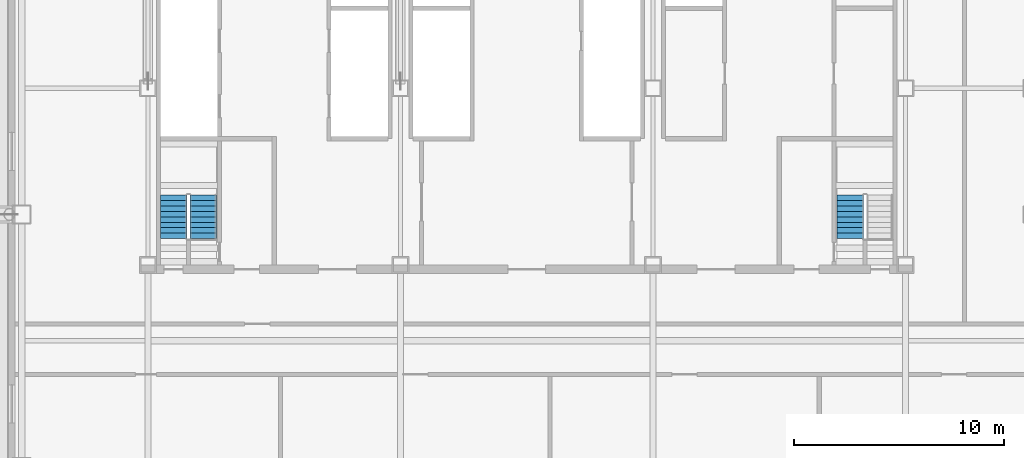
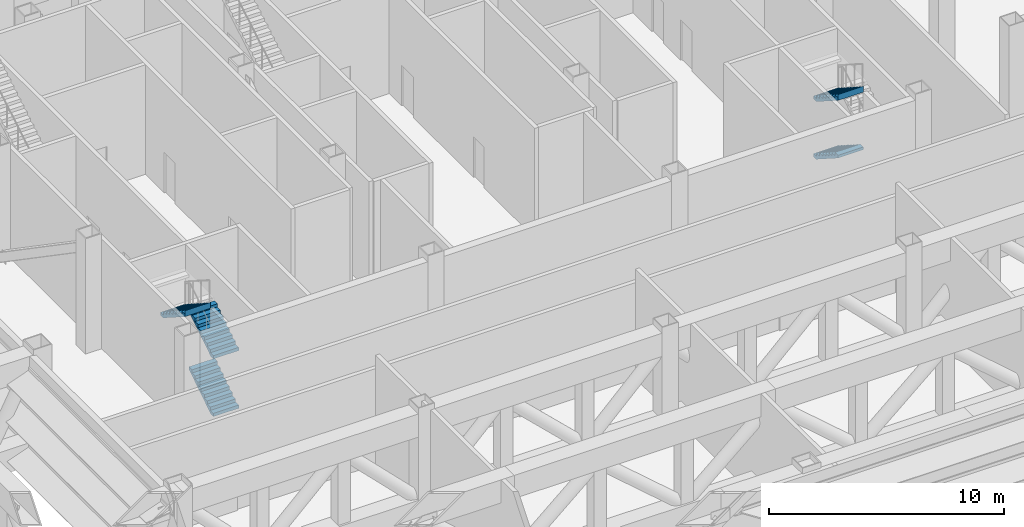
# One storey, part 9 of 17: 5 stair flights, 2 elements without a shape of their own.
"""IFC4 building model written with IfcOpenShell, lengths in metres."""

from ifc_helpers import new_model, si_unit, direction, frame, origin, place, context, subcontext, project, spatial, polyline, outline, extrude, material, type_object, element, aggregate, save


model = new_model("IFC4")

# Units and contexts
model_context = context("Model", 3, precision=1e-05, world=origin(), true_north=direction((0.0, 1.0)))
body_context = subcontext(model_context, "Body", "Model", "MODEL_VIEW")
ifc_project = project(units=[si_unit("LENGTHUNIT", "METRE"), si_unit("AREAUNIT", "SQUARE_METRE"), si_unit("VOLUMEUNIT", "CUBIC_METRE"), si_unit("PLANEANGLEUNIT", "RADIAN"), si_unit("MASSUNIT", "GRAM", prefix="KILO")], contexts=[model_context])

# Site, building, storey
site_placement = place(None, origin())
site = spatial("IfcSite", under=ifc_project, at=site_placement, CompositionType="ELEMENT")
building_placement = place(site_placement, origin())
building = spatial("IfcBuilding", under=site, at=building_placement, Name="Sorahane Residences", CompositionType="ELEMENT")
storey_placement = place(building_placement, frame((0.0, 0.0, 90.199951171875)))
storey = spatial("IfcBuildingStorey", under=building, at=storey_placement, Name="L19", CompositionType="ELEMENT", Elevation=90.199951171875)

# Stair, stair flights
ifc_material_1 = material(Name="Concrete C40", Category="concrete")
stair_type = type_object("IfcStairType", Name="Dog-leg stair 1250 Concrete C40", PredefinedType="HALF_TURN_STAIR", material=ifc_material_1)
stair_1_placement = place(storey_placement, origin())
stair_1 = element("IfcStair", 1, at=stair_1_placement, inside=storey, type_object=stair_type, Name="L19 Stair S4", PredefinedType="HALF_TURN_STAIR")
ifc_material_2 = material(Name="Concrete C40", Category="concrete")
stair_flight_type = type_object("IfcStairFlightType", Name="Stair flight 1250 Concrete C40", PredefinedType="STRAIGHT", material=ifc_material_2)
stair_flight_1_placement = place(storey_placement, frame((8.625, 22.85009765625, 0.0), z_axis=(0.0, 0.0, 1.0), x_axis=(0.0, 1.0, 0.0)))
stair_flight_1 = element("IfcStairFlight", 2, at=stair_flight_1_placement, type_object=stair_flight_type, Name="S4 flight 1", NumberOfRisers=9, NumberOfTreads=8, PredefinedType="STRAIGHT", RiserHeight=0.166666667, TreadLength=0.26, context=body_context, shape_type="SweptSolid", body=[
    extrude(outline(polyline([(-0.00146484375, 0.0), (-0.00146484375, 0.001953125), (-0.00146484375, 0.004150390625), (-0.00146484375, 0.006103515625), (-0.00146484375, 0.00830078125), (-0.00146484375, 0.01025390625), (-0.00146484375, 0.012451171875), (-0.00146484375, 0.014404296875), (-0.00146484375, 0.016357421875), (-0.00146484375, 0.0185546875), (-0.00146484375, 0.0205078125), (-0.00146484375, 0.022705078125), (-0.00146484375, 0.024658203125), (-0.00146484375, 0.02685546875), (-0.00146484375, 0.02880859375), (-0.00146484375, 0.03076171875), (-0.00146484375, 0.032958984375), (-0.00146484375, 0.034912109375), (-0.00146484375, 0.037109375), (-0.00146484375, 0.0390625), (-0.00146484375, 0.041259765625), (-0.00146484375, 0.043212890625), (-0.00146484375, 0.045166015625), (-0.00146484375, 0.04736328125), (-0.00146484375, 0.04931640625), (-0.00146484375, 0.051513671875), (-0.00146484375, 0.053466796875), (-0.00146484375, 0.0556640625), (-0.00146484375, 0.0576171875), (-0.00146484375, 0.0595703125), (-0.00146484375, 0.061767578125), (-0.00146484375, 0.063720703125), (-0.00146484375, 0.06591796875), (-0.00146484375, 0.06787109375), (-0.00146484375, 0.070068359375), (-0.00146484375, 0.072021484375), (-0.00146484375, 0.073974609375), (-0.00146484375, 0.076171875), (-0.00146484375, 0.078125), (-0.00146484375, 0.080322265625), (-0.00146484375, 0.082275390625), (-0.00146484375, 0.08447265625), (-0.00146484375, 0.08642578125), (-0.00146484375, 0.08837890625), (-0.00146484375, 0.090576171875), (-0.00146484375, 0.092529296875), (-0.00146484375, 0.0947265625), (-0.00146484375, 0.0966796875), (-0.00146484375, 0.098876953125), (-0.00146484375, 0.100830078125), (-0.00146484375, 0.102783203125), (-0.00146484375, 0.10498046875), (-0.00146484375, 0.10693359375), (-0.00146484375, 0.109130859375), (-0.00146484375, 0.111083984375), (-0.00146484375, 0.11328125), (-0.00146484375, 0.115234375), (-0.00146484375, 0.1171875), (-0.00146484375, 0.119384765625), (-0.00146484375, 0.121337890625), (-0.00146484375, 0.12353515625), (-0.00146484375, 0.12548828125), (-0.00146484375, 0.127685546875), (-0.00146484375, 0.129638671875), (-0.00146484375, 0.131591796875), (-0.00146484375, 0.1337890625), (-0.00146484375, 0.1357421875), (-0.00146484375, 0.137939453125), (-0.00146484375, 0.139892578125), (-0.00146484375, 0.14208984375), (-0.00146484375, 0.14404296875), (-0.00146484375, 0.14599609375), (-0.00146484375, 0.148193359375), (-0.00146484375, 0.150146484375), (-0.00146484375, 0.15234375), (-0.00146484375, 0.154296875), (-0.00146484375, 0.156494140625), (-0.00146484375, 0.158447265625), (-0.00146484375, 0.160400390625), (-0.00146484375, 0.16259765625), (-0.00146484375, 0.16455078125), (-0.00146484375, 0.166748046875), (0.0, 0.166748046875), (0.260009765625, 0.166748046875), (0.260009765625, 0.333251953125), (0.52001953125, 0.333251953125), (0.52001953125, 0.5), (0.780029296875, 0.5), (0.780029296875, 0.666748046875), (1.0400390625, 0.666748046875), (1.0400390625, 0.833251953125), (1.300048828125, 0.833251953125), (1.300048828125, 1.0), (1.56005859375, 1.0), (1.56005859375, 1.166748046875), (1.820068359375, 1.166748046875), (1.820068359375, 1.333251953125), (2.080078125, 1.333251953125), (2.080078125, 1.5), (2.080078125, 1.49609375), (2.080078125, 1.492431640625), (2.080078125, 1.488525390625), (2.080078125, 1.484619140625), (2.080078125, 1.48095703125), (2.080078125, 1.47705078125), (2.080078125, 1.47314453125), (2.080078125, 1.469482421875), (2.080078125, 1.465576171875), (2.080078125, 1.4619140625), (2.080078125, 1.4580078125), (2.080078125, 1.4541015625), (2.080078125, 1.450439453125), (2.080078125, 1.446533203125), (2.080078125, 1.442626953125), (2.080078125, 1.43896484375), (2.080078125, 1.43505859375), (2.080078125, 1.43115234375), (2.080078125, 1.427490234375), (2.080078125, 1.423583984375), (2.080078125, 1.419677734375), (2.080078125, 1.416015625), (2.080078125, 1.412109375), (2.080078125, 1.408447265625), (2.080078125, 1.404541015625), (2.080078125, 1.400634765625), (2.080078125, 1.39697265625), (2.080078125, 1.39306640625), (2.080078125, 1.38916015625), (2.080078125, 1.385498046875), (2.080078125, 1.381591796875), (2.080078125, 1.377685546875), (2.080078125, 1.3740234375), (2.080078125, 1.3701171875), (2.080078125, 1.3662109375), (2.080078125, 1.362548828125), (2.080078125, 1.358642578125), (2.080078125, 1.35498046875), (2.080078125, 1.35107421875), (2.080078125, 1.34716796875), (2.080078125, 1.343505859375), (2.080078125, 1.339599609375), (2.080078125, 1.335693359375), (2.080078125, 1.33203125), (2.080078125, 1.328125), (2.080078125, 1.32421875), (2.080078125, 1.320556640625), (2.080078125, 1.316650390625), (2.080078125, 1.312744140625), (2.080078125, 1.30908203125), (2.080078125, 1.30517578125), (2.080078125, 1.301513671875), (2.080078125, 1.297607421875), (2.080078125, 1.293701171875), (2.080078125, 1.2900390625), (2.080078125, 1.2861328125), (2.080078125, 1.2822265625), (2.080078125, 1.278564453125), (2.080078125, 1.274658203125), (2.080078125, 1.270751953125), (2.080078125, 1.26708984375), (2.080078125, 1.26318359375), (2.080078125, 1.25927734375), (2.080078125, 1.255615234375), (2.080078125, 1.251708984375), (2.080078125, 1.248046875), (2.080078125, 1.244140625), (2.080078125, 1.240234375), (2.080078125, 1.236572265625), (2.080078125, 1.232666015625), (2.080078125, 1.228759765625), (2.080078125, 1.22509765625), (2.080078125, 1.22119140625), (2.080078125, 1.21728515625), (2.080078125, 1.213623046875), (2.080078125, 1.209716796875), (2.080078125, 1.205810546875), (2.080078125, 1.2021484375), (2.080078125, 1.1982421875), (2.080078125, 1.194580078125), (2.080078125, 1.190673828125), (1.894287109375, 1.071533203125), (1.70849609375, 0.95263671875), (1.522705078125, 0.83349609375), (1.3369140625, 0.71435546875), (1.1513671875, 0.59521484375), (0.965576171875, 0.476318359375), (0.77978515625, 0.357177734375), (0.593994140625, 0.238037109375), (0.408203125, 0.119140625), (0.22265625, 0.0), (-0.00146484375, 0.0)])), frame((0.0, 0.625, 0.0), z_axis=(0.0, -1.0, 0.0), x_axis=(1.0, 0.0, 0.0)), (0.0, 0.0, 1.0), 1.25),
])
stair_flight_2_placement = place(storey_placement, frame((8.625, 22.85009765625, 3.0), z_axis=(0.0, 0.0, 1.0), x_axis=(0.0, 1.0, 0.0)))
stair_flight_2 = element("IfcStairFlight", 3, at=stair_flight_2_placement, type_object=stair_flight_type, Name="S4 flight 3", NumberOfRisers=9, NumberOfTreads=8, PredefinedType="STRAIGHT", RiserHeight=0.166666667, TreadLength=0.26, context=body_context, shape_type="SweptSolid", body=[
    extrude(outline(polyline([(0.0, 0.0), (0.0, 0.001953125), (0.0, 0.004150390625), (0.0, 0.006103515625), (0.0, 0.00830078125), (0.0, 0.01025390625), (0.0, 0.012451171875), (0.0, 0.014404296875), (0.0, 0.016357421875), (0.0, 0.0185546875), (0.0, 0.0205078125), (0.0, 0.022705078125), (0.0, 0.024658203125), (0.0, 0.02685546875), (0.0, 0.02880859375), (0.0, 0.03076171875), (0.0, 0.032958984375), (0.0, 0.034912109375), (0.0, 0.037109375), (0.0, 0.0390625), (0.0, 0.041259765625), (0.0, 0.043212890625), (0.0, 0.045166015625), (0.0, 0.04736328125), (0.0, 0.04931640625), (0.0, 0.051513671875), (0.0, 0.053466796875), (0.0, 0.0556640625), (0.0, 0.0576171875), (0.0, 0.0595703125), (0.0, 0.061767578125), (0.0, 0.063720703125), (0.0, 0.06591796875), (0.0, 0.06787109375), (0.0, 0.070068359375), (0.0, 0.072021484375), (0.0, 0.073974609375), (0.0, 0.076171875), (0.0, 0.078125), (0.0, 0.080322265625), (0.0, 0.082275390625), (0.0, 0.08447265625), (0.0, 0.08642578125), (0.0, 0.08837890625), (0.0, 0.090576171875), (0.0, 0.092529296875), (0.0, 0.0947265625), (0.0, 0.0966796875), (0.0, 0.098876953125), (0.0, 0.100830078125), (0.0, 0.102783203125), (0.0, 0.10498046875), (0.0, 0.10693359375), (0.0, 0.109130859375), (0.0, 0.111083984375), (0.0, 0.11328125), (0.0, 0.115234375), (0.0, 0.1171875), (0.0, 0.119384765625), (0.0, 0.121337890625), (0.0, 0.12353515625), (0.0, 0.12548828125), (0.0, 0.127685546875), (0.0, 0.129638671875), (0.0, 0.131591796875), (0.0, 0.1337890625), (0.0, 0.1357421875), (0.0, 0.137939453125), (0.0, 0.139892578125), (0.0, 0.14208984375), (0.0, 0.14404296875), (0.0, 0.14599609375), (0.0, 0.148193359375), (0.0, 0.150146484375), (0.0, 0.15234375), (0.0, 0.154296875), (0.0, 0.156494140625), (0.0, 0.158447265625), (0.0, 0.160400390625), (0.0, 0.16259765625), (0.0, 0.16455078125), (0.0, 0.166748046875), (0.260009765625, 0.166748046875), (0.260009765625, 0.333251953125), (0.52001953125, 0.333251953125), (0.52001953125, 0.5), (0.780029296875, 0.5), (0.780029296875, 0.666748046875), (1.0400390625, 0.666748046875), (1.0400390625, 0.833251953125), (1.300048828125, 0.833251953125), (1.300048828125, 1.0), (1.56005859375, 1.0), (1.56005859375, 1.166748046875), (1.820068359375, 1.166748046875), (1.820068359375, 1.333251953125), (2.080078125, 1.333251953125), (2.080078125, 1.5), (2.080078125, 1.49609375), (2.080078125, 1.492431640625), (2.080078125, 1.488525390625), (2.080078125, 1.484619140625), (2.080078125, 1.48095703125), (2.080078125, 1.47705078125), (2.080078125, 1.47314453125), (2.080078125, 1.469482421875), (2.080078125, 1.465576171875), (2.080078125, 1.4619140625), (2.080078125, 1.4580078125), (2.080078125, 1.4541015625), (2.080078125, 1.450439453125), (2.080078125, 1.446533203125), (2.080078125, 1.442626953125), (2.080078125, 1.43896484375), (2.080078125, 1.43505859375), (2.080078125, 1.43115234375), (2.080078125, 1.427490234375), (2.080078125, 1.423583984375), (2.080078125, 1.419677734375), (2.080078125, 1.416015625), (2.080078125, 1.412109375), (2.080078125, 1.408447265625), (2.080078125, 1.404541015625), (2.080078125, 1.400634765625), (2.080078125, 1.39697265625), (2.080078125, 1.39306640625), (2.080078125, 1.38916015625), (2.080078125, 1.385498046875), (2.080078125, 1.381591796875), (2.080078125, 1.377685546875), (2.080078125, 1.3740234375), (2.080078125, 1.3701171875), (2.080078125, 1.3662109375), (2.080078125, 1.362548828125), (2.080078125, 1.358642578125), (2.080078125, 1.35498046875), (2.080078125, 1.35107421875), (2.080078125, 1.34716796875), (2.080078125, 1.343505859375), (2.080078125, 1.339599609375), (2.080078125, 1.335693359375), (2.080078125, 1.33203125), (2.080078125, 1.328125), (2.080078125, 1.32421875), (2.080078125, 1.320556640625), (2.080078125, 1.316650390625), (2.080078125, 1.312744140625), (2.080078125, 1.30908203125), (2.080078125, 1.30517578125), (2.080078125, 1.301513671875), (2.080078125, 1.297607421875), (2.080078125, 1.293701171875), (2.080078125, 1.2900390625), (2.080078125, 1.2861328125), (2.080078125, 1.2822265625), (2.080078125, 1.278564453125), (2.080078125, 1.274658203125), (2.080078125, 1.270751953125), (2.080078125, 1.26708984375), (2.080078125, 1.26318359375), (2.080078125, 1.25927734375), (2.080078125, 1.255615234375), (2.080078125, 1.251708984375), (2.080078125, 1.248046875), (2.080078125, 1.244140625), (2.080078125, 1.240234375), (2.080078125, 1.236572265625), (2.080078125, 1.232666015625), (2.080078125, 1.228759765625), (2.080078125, 1.22509765625), (2.080078125, 1.22119140625), (2.080078125, 1.21728515625), (2.080078125, 1.213623046875), (2.080078125, 1.209716796875), (2.080078125, 1.205810546875), (2.080078125, 1.2021484375), (2.080078125, 1.1982421875), (2.080078125, 1.194580078125), (2.080078125, 1.190673828125), (1.87353515625, 1.058349609375), (1.667236328125, 0.926025390625), (1.4609375, 0.793701171875), (1.25439453125, 0.661376953125), (1.048095703125, 0.529296875), (0.841796875, 0.39697265625), (0.63525390625, 0.2646484375), (0.428955078125, 0.13232421875), (0.22265625, 0.0), (0.0, 0.0)])), frame((0.0, 0.625, 0.0), z_axis=(0.0, -1.0, 0.0), x_axis=(1.0, 0.0, 0.0)), (0.0, 0.0, 1.0), 1.25),
])
stair_flight_3_placement = place(storey_placement, frame((7.22509765625, 24.929931640625, 4.5), z_axis=(0.0, 0.0, 1.0), x_axis=(0.0, -1.0, 0.0)))
stair_flight_3 = element("IfcStairFlight", 4, at=stair_flight_3_placement, type_object=stair_flight_type, Name="S4 flight 4", NumberOfRisers=9, NumberOfTreads=8, PredefinedType="STRAIGHT", RiserHeight=0.166666667, TreadLength=0.26, context=body_context, shape_type="SweptSolid", body=[
    extrude(outline(polyline([(0.0, 0.0), (0.0, 0.001953125), (0.0, 0.004150390625), (0.0, 0.006103515625), (0.0, 0.00830078125), (0.0, 0.01025390625), (0.0, 0.012451171875), (0.0, 0.014404296875), (0.0, 0.016357421875), (0.0, 0.0185546875), (0.0, 0.0205078125), (0.0, 0.022705078125), (0.0, 0.024658203125), (0.0, 0.02685546875), (0.0, 0.02880859375), (0.0, 0.03076171875), (0.0, 0.032958984375), (0.0, 0.034912109375), (0.0, 0.037109375), (0.0, 0.0390625), (0.0, 0.041259765625), (0.0, 0.043212890625), (0.0, 0.045166015625), (0.0, 0.04736328125), (0.0, 0.04931640625), (0.0, 0.051513671875), (0.0, 0.053466796875), (0.0, 0.0556640625), (0.0, 0.0576171875), (0.0, 0.0595703125), (0.0, 0.061767578125), (0.0, 0.063720703125), (0.0, 0.06591796875), (0.0, 0.06787109375), (0.0, 0.070068359375), (0.0, 0.072021484375), (0.0, 0.073974609375), (0.0, 0.076171875), (0.0, 0.078125), (0.0, 0.080322265625), (0.0, 0.082275390625), (0.0, 0.08447265625), (0.0, 0.08642578125), (0.0, 0.08837890625), (0.0, 0.090576171875), (0.0, 0.092529296875), (0.0, 0.0947265625), (0.0, 0.0966796875), (0.0, 0.098876953125), (0.0, 0.100830078125), (0.0, 0.102783203125), (0.0, 0.10498046875), (0.0, 0.10693359375), (0.0, 0.109130859375), (0.0, 0.111083984375), (0.0, 0.11328125), (0.0, 0.115234375), (0.0, 0.1171875), (0.0, 0.119384765625), (0.0, 0.121337890625), (0.0, 0.12353515625), (0.0, 0.12548828125), (0.0, 0.127685546875), (0.0, 0.129638671875), (0.0, 0.131591796875), (0.0, 0.1337890625), (0.0, 0.1357421875), (0.0, 0.137939453125), (0.0, 0.139892578125), (0.0, 0.14208984375), (0.0, 0.14404296875), (0.0, 0.14599609375), (0.0, 0.148193359375), (0.0, 0.150146484375), (0.0, 0.15234375), (0.0, 0.154296875), (0.0, 0.156494140625), (0.0, 0.158447265625), (0.0, 0.160400390625), (0.0, 0.16259765625), (0.0, 0.16455078125), (0.0, 0.166748046875), (0.260009765625, 0.166748046875), (0.260009765625, 0.333251953125), (0.52001953125, 0.333251953125), (0.52001953125, 0.5), (0.780029296875, 0.5), (0.780029296875, 0.666748046875), (1.0400390625, 0.666748046875), (1.0400390625, 0.833251953125), (1.300048828125, 0.833251953125), (1.300048828125, 1.0), (1.56005859375, 1.0), (1.56005859375, 1.166748046875), (1.820068359375, 1.166748046875), (1.820068359375, 1.333251953125), (2.080078125, 1.333251953125), (2.080078125, 1.5), (2.08154296875, 1.5), (2.08154296875, 1.49609375), (2.08154296875, 1.492431640625), (2.08154296875, 1.488525390625), (2.08154296875, 1.484619140625), (2.08154296875, 1.48095703125), (2.08154296875, 1.47705078125), (2.08154296875, 1.47314453125), (2.08154296875, 1.469482421875), (2.08154296875, 1.465576171875), (2.08154296875, 1.4619140625), (2.08154296875, 1.4580078125), (2.08154296875, 1.4541015625), (2.08154296875, 1.450439453125), (2.08154296875, 1.446533203125), (2.08154296875, 1.442626953125), (2.08154296875, 1.43896484375), (2.08154296875, 1.43505859375), (2.08154296875, 1.43115234375), (2.08154296875, 1.427490234375), (2.08154296875, 1.423583984375), (2.08154296875, 1.419677734375), (2.08154296875, 1.416015625), (2.08154296875, 1.412109375), (2.08154296875, 1.408447265625), (2.08154296875, 1.404541015625), (2.08154296875, 1.400634765625), (2.08154296875, 1.39697265625), (2.08154296875, 1.39306640625), (2.08154296875, 1.38916015625), (2.08154296875, 1.385498046875), (2.08154296875, 1.381591796875), (2.08154296875, 1.377685546875), (2.08154296875, 1.3740234375), (2.08154296875, 1.3701171875), (2.08154296875, 1.3662109375), (2.08154296875, 1.362548828125), (2.08154296875, 1.358642578125), (2.08154296875, 1.35498046875), (2.08154296875, 1.35107421875), (2.08154296875, 1.34716796875), (2.08154296875, 1.343505859375), (2.08154296875, 1.339599609375), (2.08154296875, 1.335693359375), (2.08154296875, 1.33203125), (2.08154296875, 1.328125), (2.08154296875, 1.32421875), (2.08154296875, 1.320556640625), (2.08154296875, 1.316650390625), (2.08154296875, 1.312744140625), (2.08154296875, 1.30908203125), (2.08154296875, 1.30517578125), (2.08154296875, 1.301513671875), (2.08154296875, 1.297607421875), (2.08154296875, 1.293701171875), (2.08154296875, 1.2900390625), (2.08154296875, 1.2861328125), (2.08154296875, 1.2822265625), (2.08154296875, 1.278564453125), (2.08154296875, 1.274658203125), (2.08154296875, 1.270751953125), (2.08154296875, 1.26708984375), (2.08154296875, 1.26318359375), (2.08154296875, 1.25927734375), (2.08154296875, 1.255615234375), (2.08154296875, 1.251708984375), (2.08154296875, 1.248046875), (2.08154296875, 1.244140625), (2.08154296875, 1.240234375), (2.08154296875, 1.236572265625), (2.08154296875, 1.232666015625), (2.08154296875, 1.228759765625), (2.08154296875, 1.22509765625), (2.08154296875, 1.22119140625), (2.08154296875, 1.21728515625), (2.08154296875, 1.213623046875), (2.08154296875, 1.209716796875), (2.08154296875, 1.205810546875), (2.08154296875, 1.2021484375), (2.08154296875, 1.1982421875), (2.08154296875, 1.194580078125), (2.08154296875, 1.190673828125), (1.8955078125, 1.071533203125), (1.709716796875, 0.95263671875), (1.52392578125, 0.83349609375), (1.337890625, 0.71435546875), (1.152099609375, 0.59521484375), (0.966064453125, 0.476318359375), (0.7802734375, 0.357177734375), (0.594482421875, 0.238037109375), (0.408447265625, 0.119140625), (0.22265625, 0.0), (0.0, 0.0)])), frame((0.0, 0.625, 0.0), z_axis=(0.0, -1.0, 0.0), x_axis=(1.0, 0.0, 0.0)), (0.0, 0.0, 1.0), 1.25),
])
aggregate(stair_1, [stair_flight_1, stair_flight_2, stair_flight_3])

stair_2_placement = place(storey_placement, origin())
stair_2 = element("IfcStair", 5, at=stair_2_placement, inside=storey, type_object=stair_type, Name="L19 Stair S5", PredefinedType="HALF_TURN_STAIR")
stair_flight_4_placement = place(storey_placement, frame((39.375, 24.929931640625, 1.5), z_axis=(0.0, 0.0, 1.0), x_axis=(0.0, -1.0, 0.0)))
stair_flight_4 = element("IfcStairFlight", 6, at=stair_flight_4_placement, type_object=stair_flight_type, Name="S5 flight 2", NumberOfRisers=9, NumberOfTreads=8, PredefinedType="STRAIGHT", RiserHeight=0.166666667, TreadLength=0.26, context=body_context, shape_type="SweptSolid", body=[
    extrude(outline(polyline([(0.0, 0.0), (0.0, 0.001953125), (0.0, 0.004150390625), (0.0, 0.006103515625), (0.0, 0.00830078125), (0.0, 0.01025390625), (0.0, 0.012451171875), (0.0, 0.014404296875), (0.0, 0.016357421875), (0.0, 0.0185546875), (0.0, 0.0205078125), (0.0, 0.022705078125), (0.0, 0.024658203125), (0.0, 0.02685546875), (0.0, 0.02880859375), (0.0, 0.03076171875), (0.0, 0.032958984375), (0.0, 0.034912109375), (0.0, 0.037109375), (0.0, 0.0390625), (0.0, 0.041259765625), (0.0, 0.043212890625), (0.0, 0.045166015625), (0.0, 0.04736328125), (0.0, 0.04931640625), (0.0, 0.051513671875), (0.0, 0.053466796875), (0.0, 0.0556640625), (0.0, 0.0576171875), (0.0, 0.0595703125), (0.0, 0.061767578125), (0.0, 0.063720703125), (0.0, 0.06591796875), (0.0, 0.06787109375), (0.0, 0.070068359375), (0.0, 0.072021484375), (0.0, 0.073974609375), (0.0, 0.076171875), (0.0, 0.078125), (0.0, 0.080322265625), (0.0, 0.082275390625), (0.0, 0.08447265625), (0.0, 0.08642578125), (0.0, 0.08837890625), (0.0, 0.090576171875), (0.0, 0.092529296875), (0.0, 0.0947265625), (0.0, 0.0966796875), (0.0, 0.098876953125), (0.0, 0.100830078125), (0.0, 0.102783203125), (0.0, 0.10498046875), (0.0, 0.10693359375), (0.0, 0.109130859375), (0.0, 0.111083984375), (0.0, 0.11328125), (0.0, 0.115234375), (0.0, 0.1171875), (0.0, 0.119384765625), (0.0, 0.121337890625), (0.0, 0.12353515625), (0.0, 0.12548828125), (0.0, 0.127685546875), (0.0, 0.129638671875), (0.0, 0.131591796875), (0.0, 0.1337890625), (0.0, 0.1357421875), (0.0, 0.137939453125), (0.0, 0.139892578125), (0.0, 0.14208984375), (0.0, 0.14404296875), (0.0, 0.14599609375), (0.0, 0.148193359375), (0.0, 0.150146484375), (0.0, 0.15234375), (0.0, 0.154296875), (0.0, 0.156494140625), (0.0, 0.158447265625), (0.0, 0.160400390625), (0.0, 0.16259765625), (0.0, 0.16455078125), (0.0, 0.166748046875), (0.260009765625, 0.166748046875), (0.260009765625, 0.333251953125), (0.52001953125, 0.333251953125), (0.52001953125, 0.5), (0.780029296875, 0.5), (0.780029296875, 0.666748046875), (1.0400390625, 0.666748046875), (1.0400390625, 0.833251953125), (1.300048828125, 0.833251953125), (1.300048828125, 1.0), (1.56005859375, 1.0), (1.56005859375, 1.166748046875), (1.820068359375, 1.166748046875), (1.820068359375, 1.333251953125), (2.080078125, 1.333251953125), (2.080078125, 1.5), (2.080078125, 1.49609375), (2.080078125, 1.492431640625), (2.080078125, 1.488525390625), (2.080078125, 1.484619140625), (2.080078125, 1.48095703125), (2.080078125, 1.47705078125), (2.080078125, 1.47314453125), (2.080078125, 1.469482421875), (2.080078125, 1.465576171875), (2.080078125, 1.4619140625), (2.080078125, 1.4580078125), (2.080078125, 1.4541015625), (2.080078125, 1.450439453125), (2.080078125, 1.446533203125), (2.080078125, 1.442626953125), (2.080078125, 1.43896484375), (2.080078125, 1.43505859375), (2.080078125, 1.43115234375), (2.080078125, 1.427490234375), (2.080078125, 1.423583984375), (2.080078125, 1.419677734375), (2.080078125, 1.416015625), (2.080078125, 1.412109375), (2.080078125, 1.408447265625), (2.080078125, 1.404541015625), (2.080078125, 1.400634765625), (2.080078125, 1.39697265625), (2.080078125, 1.39306640625), (2.080078125, 1.38916015625), (2.080078125, 1.385498046875), (2.080078125, 1.381591796875), (2.080078125, 1.377685546875), (2.080078125, 1.3740234375), (2.080078125, 1.3701171875), (2.080078125, 1.3662109375), (2.080078125, 1.362548828125), (2.080078125, 1.358642578125), (2.080078125, 1.35498046875), (2.080078125, 1.35107421875), (2.080078125, 1.34716796875), (2.080078125, 1.343505859375), (2.080078125, 1.339599609375), (2.080078125, 1.335693359375), (2.080078125, 1.33203125), (2.080078125, 1.328125), (2.080078125, 1.32421875), (2.080078125, 1.320556640625), (2.080078125, 1.316650390625), (2.080078125, 1.312744140625), (2.080078125, 1.30908203125), (2.080078125, 1.30517578125), (2.080078125, 1.301513671875), (2.080078125, 1.297607421875), (2.080078125, 1.293701171875), (2.080078125, 1.2900390625), (2.080078125, 1.2861328125), (2.080078125, 1.2822265625), (2.080078125, 1.278564453125), (2.080078125, 1.274658203125), (2.080078125, 1.270751953125), (2.080078125, 1.26708984375), (2.080078125, 1.26318359375), (2.080078125, 1.25927734375), (2.080078125, 1.255615234375), (2.080078125, 1.251708984375), (2.080078125, 1.248046875), (2.080078125, 1.244140625), (2.080078125, 1.240234375), (2.080078125, 1.236572265625), (2.080078125, 1.232666015625), (2.080078125, 1.228759765625), (2.080078125, 1.22509765625), (2.080078125, 1.22119140625), (2.080078125, 1.21728515625), (2.080078125, 1.213623046875), (2.080078125, 1.209716796875), (2.080078125, 1.205810546875), (2.080078125, 1.2021484375), (2.080078125, 1.1982421875), (2.080078125, 1.194580078125), (2.080078125, 1.190673828125), (1.87353515625, 1.058349609375), (1.667236328125, 0.926025390625), (1.4609375, 0.793701171875), (1.25439453125, 0.661376953125), (1.048095703125, 0.529296875), (0.841796875, 0.39697265625), (0.63525390625, 0.2646484375), (0.428955078125, 0.13232421875), (0.22265625, 0.0), (0.0, 0.0)])), frame((0.0, 0.625, 0.0), z_axis=(0.0, -1.0, 0.0), x_axis=(1.0, 0.0, 0.0)), (0.0, 0.0, 1.0), 1.25),
])
stair_flight_5_placement = place(storey_placement, frame((39.375, 24.929931640625, 4.5), z_axis=(0.0, 0.0, 1.0), x_axis=(0.0, -1.0, 0.0)))
stair_flight_5 = element("IfcStairFlight", 7, at=stair_flight_5_placement, type_object=stair_flight_type, Name="S5 flight 4", NumberOfRisers=9, NumberOfTreads=8, PredefinedType="STRAIGHT", RiserHeight=0.166666667, TreadLength=0.26, context=body_context, shape_type="SweptSolid", body=[
    extrude(outline(polyline([(0.0, 0.0), (0.0, 0.001953125), (0.0, 0.004150390625), (0.0, 0.006103515625), (0.0, 0.00830078125), (0.0, 0.01025390625), (0.0, 0.012451171875), (0.0, 0.014404296875), (0.0, 0.016357421875), (0.0, 0.0185546875), (0.0, 0.0205078125), (0.0, 0.022705078125), (0.0, 0.024658203125), (0.0, 0.02685546875), (0.0, 0.02880859375), (0.0, 0.03076171875), (0.0, 0.032958984375), (0.0, 0.034912109375), (0.0, 0.037109375), (0.0, 0.0390625), (0.0, 0.041259765625), (0.0, 0.043212890625), (0.0, 0.045166015625), (0.0, 0.04736328125), (0.0, 0.04931640625), (0.0, 0.051513671875), (0.0, 0.053466796875), (0.0, 0.0556640625), (0.0, 0.0576171875), (0.0, 0.0595703125), (0.0, 0.061767578125), (0.0, 0.063720703125), (0.0, 0.06591796875), (0.0, 0.06787109375), (0.0, 0.070068359375), (0.0, 0.072021484375), (0.0, 0.073974609375), (0.0, 0.076171875), (0.0, 0.078125), (0.0, 0.080322265625), (0.0, 0.082275390625), (0.0, 0.08447265625), (0.0, 0.08642578125), (0.0, 0.08837890625), (0.0, 0.090576171875), (0.0, 0.092529296875), (0.0, 0.0947265625), (0.0, 0.0966796875), (0.0, 0.098876953125), (0.0, 0.100830078125), (0.0, 0.102783203125), (0.0, 0.10498046875), (0.0, 0.10693359375), (0.0, 0.109130859375), (0.0, 0.111083984375), (0.0, 0.11328125), (0.0, 0.115234375), (0.0, 0.1171875), (0.0, 0.119384765625), (0.0, 0.121337890625), (0.0, 0.12353515625), (0.0, 0.12548828125), (0.0, 0.127685546875), (0.0, 0.129638671875), (0.0, 0.131591796875), (0.0, 0.1337890625), (0.0, 0.1357421875), (0.0, 0.137939453125), (0.0, 0.139892578125), (0.0, 0.14208984375), (0.0, 0.14404296875), (0.0, 0.14599609375), (0.0, 0.148193359375), (0.0, 0.150146484375), (0.0, 0.15234375), (0.0, 0.154296875), (0.0, 0.156494140625), (0.0, 0.158447265625), (0.0, 0.160400390625), (0.0, 0.16259765625), (0.0, 0.16455078125), (0.0, 0.166748046875), (0.260009765625, 0.166748046875), (0.260009765625, 0.333251953125), (0.52001953125, 0.333251953125), (0.52001953125, 0.5), (0.780029296875, 0.5), (0.780029296875, 0.666748046875), (1.0400390625, 0.666748046875), (1.0400390625, 0.833251953125), (1.300048828125, 0.833251953125), (1.300048828125, 1.0), (1.56005859375, 1.0), (1.56005859375, 1.166748046875), (1.820068359375, 1.166748046875), (1.820068359375, 1.333251953125), (2.080078125, 1.333251953125), (2.080078125, 1.5), (2.08154296875, 1.5), (2.08154296875, 1.49609375), (2.08154296875, 1.492431640625), (2.08154296875, 1.488525390625), (2.08154296875, 1.484619140625), (2.08154296875, 1.48095703125), (2.08154296875, 1.47705078125), (2.08154296875, 1.47314453125), (2.08154296875, 1.469482421875), (2.08154296875, 1.465576171875), (2.08154296875, 1.4619140625), (2.08154296875, 1.4580078125), (2.08154296875, 1.4541015625), (2.08154296875, 1.450439453125), (2.08154296875, 1.446533203125), (2.08154296875, 1.442626953125), (2.08154296875, 1.43896484375), (2.08154296875, 1.43505859375), (2.08154296875, 1.43115234375), (2.08154296875, 1.427490234375), (2.08154296875, 1.423583984375), (2.08154296875, 1.419677734375), (2.08154296875, 1.416015625), (2.08154296875, 1.412109375), (2.08154296875, 1.408447265625), (2.08154296875, 1.404541015625), (2.08154296875, 1.400634765625), (2.08154296875, 1.39697265625), (2.08154296875, 1.39306640625), (2.08154296875, 1.38916015625), (2.08154296875, 1.385498046875), (2.08154296875, 1.381591796875), (2.08154296875, 1.377685546875), (2.08154296875, 1.3740234375), (2.08154296875, 1.3701171875), (2.08154296875, 1.3662109375), (2.08154296875, 1.362548828125), (2.08154296875, 1.358642578125), (2.08154296875, 1.35498046875), (2.08154296875, 1.35107421875), (2.08154296875, 1.34716796875), (2.08154296875, 1.343505859375), (2.08154296875, 1.339599609375), (2.08154296875, 1.335693359375), (2.08154296875, 1.33203125), (2.08154296875, 1.328125), (2.08154296875, 1.32421875), (2.08154296875, 1.320556640625), (2.08154296875, 1.316650390625), (2.08154296875, 1.312744140625), (2.08154296875, 1.30908203125), (2.08154296875, 1.30517578125), (2.08154296875, 1.301513671875), (2.08154296875, 1.297607421875), (2.08154296875, 1.293701171875), (2.08154296875, 1.2900390625), (2.08154296875, 1.2861328125), (2.08154296875, 1.2822265625), (2.08154296875, 1.278564453125), (2.08154296875, 1.274658203125), (2.08154296875, 1.270751953125), (2.08154296875, 1.26708984375), (2.08154296875, 1.26318359375), (2.08154296875, 1.25927734375), (2.08154296875, 1.255615234375), (2.08154296875, 1.251708984375), (2.08154296875, 1.248046875), (2.08154296875, 1.244140625), (2.08154296875, 1.240234375), (2.08154296875, 1.236572265625), (2.08154296875, 1.232666015625), (2.08154296875, 1.228759765625), (2.08154296875, 1.22509765625), (2.08154296875, 1.22119140625), (2.08154296875, 1.21728515625), (2.08154296875, 1.213623046875), (2.08154296875, 1.209716796875), (2.08154296875, 1.205810546875), (2.08154296875, 1.2021484375), (2.08154296875, 1.1982421875), (2.08154296875, 1.194580078125), (2.08154296875, 1.190673828125), (1.8955078125, 1.071533203125), (1.709716796875, 0.95263671875), (1.52392578125, 0.83349609375), (1.337890625, 0.71435546875), (1.152099609375, 0.59521484375), (0.966064453125, 0.476318359375), (0.7802734375, 0.357177734375), (0.594482421875, 0.238037109375), (0.408447265625, 0.119140625), (0.22265625, 0.0), (0.0, 0.0)])), frame((0.0, 0.625, 0.0), z_axis=(0.0, -1.0, 0.0), x_axis=(1.0, 0.0, 0.0)), (0.0, 0.0, 1.0), 1.25),
])
aggregate(stair_2, [stair_flight_4, stair_flight_5])

save(model, "model.ifc")
